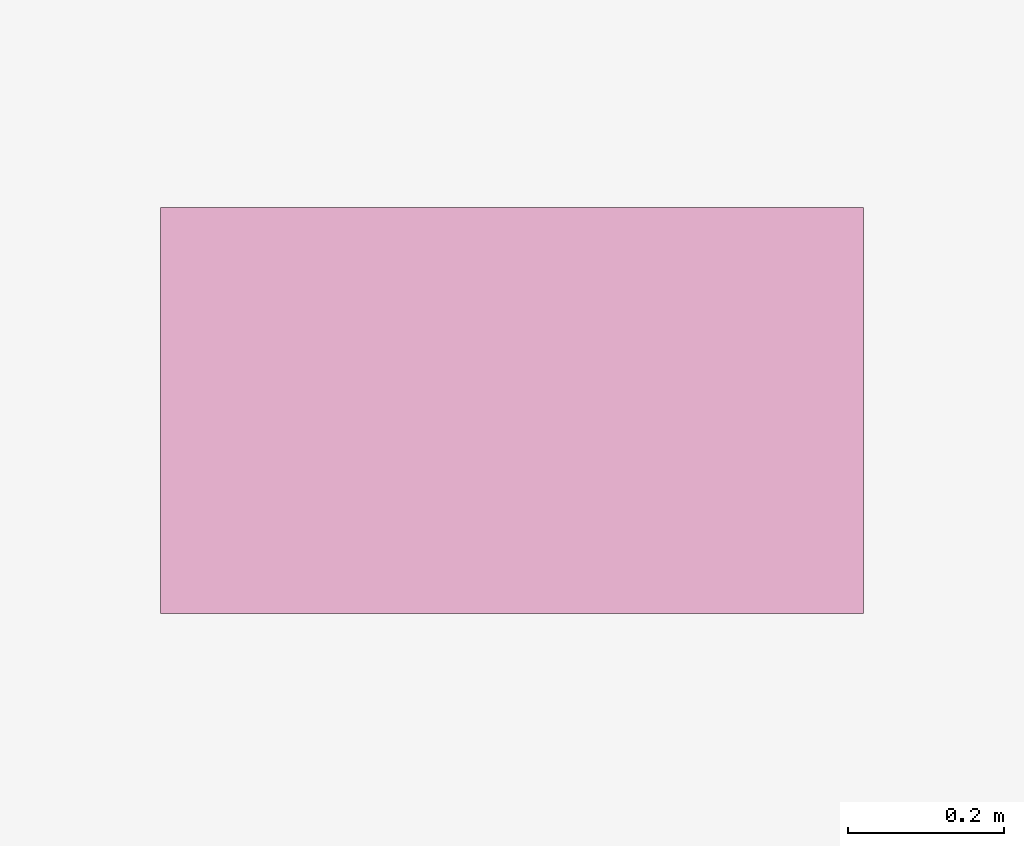
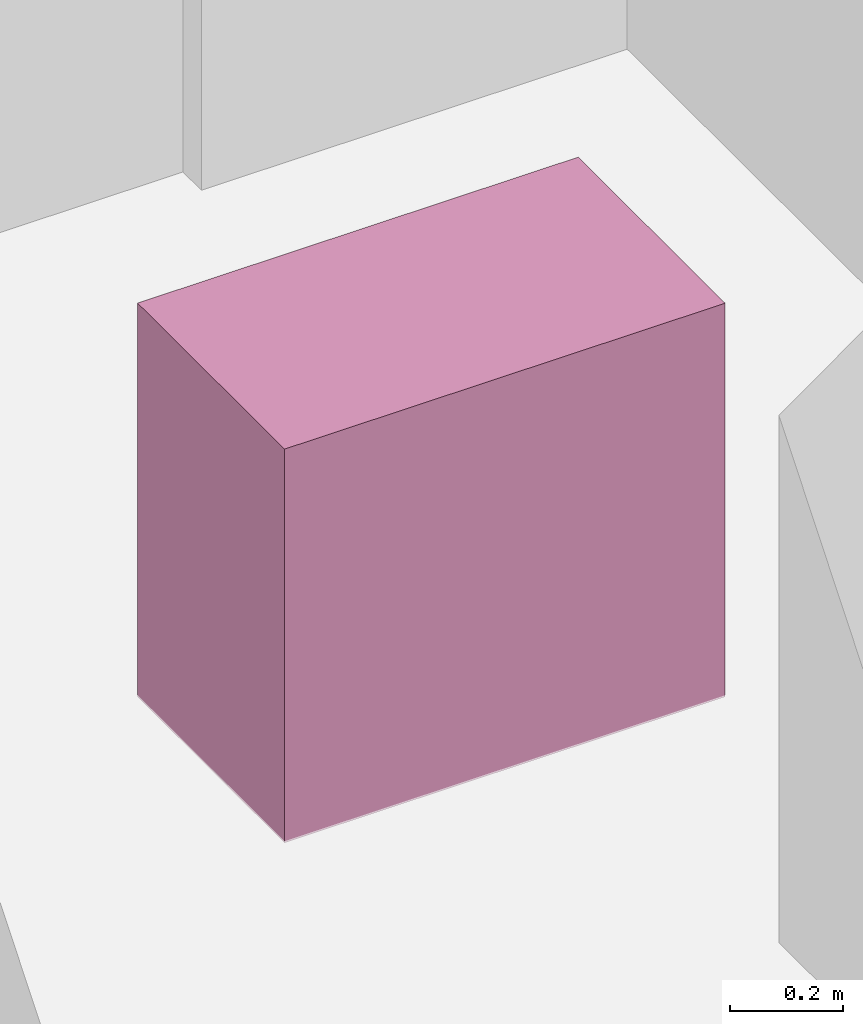
# One storey, part 28 of 28: 1 furnishing.
"""IFC4 building model written with IfcOpenShell, lengths in metres."""

from ifc_helpers import new_model, si_unit, direction, frame, origin, origin_2d, place, context, subcontext, project, spatial, rectangle, extrude, material, type_object, element, save


model = new_model("IFC4")

# Units and contexts
model_context = context("Model", 3, precision=1e-05, world=origin(), true_north=direction((0.0, 1.0)))
body_context = subcontext(model_context, "Body", "Model", "MODEL_VIEW")
ifc_project = project(units=[si_unit("LENGTHUNIT", "METRE"), si_unit("AREAUNIT", "SQUARE_METRE"), si_unit("VOLUMEUNIT", "CUBIC_METRE"), si_unit("PLANEANGLEUNIT", "RADIAN"), si_unit("MASSUNIT", "GRAM", prefix="KILO")], contexts=[model_context])

# Site, building, storey
site_placement = place(None, origin())
site = spatial("IfcSite", under=ifc_project, at=site_placement, CompositionType="ELEMENT")
building_placement = place(site_placement, origin())
building = spatial("IfcBuilding", under=site, at=building_placement, Name="Vorneva Point Tower", CompositionType="ELEMENT")
storey_placement = place(building_placement, frame((0.0, 0.0, 146.60009765625)))
storey = spatial("IfcBuildingStorey", under=building, at=storey_placement, Name="L39", CompositionType="ELEMENT", Elevation=146.60009765625)

# Furnishing
ifc_material = material(Name="Vitreous china and granite top", Category="masonry")
furniture_type = type_object("IfcFurnitureType", Name="FUR-VAN-900", AssemblyPlace="NOTDEFINED", PredefinedType="NOTDEFINED", material=ifc_material)
furnishing_placement = place(storey_placement, frame((34.85009765625, 32.1201171875, -0.005126953125), z_axis=(0.0, 0.0, 1.0), x_axis=(1.0, 0.0, 0.0)))
element("IfcFurnishingElement", 1, at=furnishing_placement, inside=storey, type_object=furniture_type, Name="L39 Public Male WC Vanity Unit", ObjectType="L39 Public Male WC Vanity Unit", context=body_context, shape_type="SweptSolid", body=[
    extrude(rectangle(XDim=0.89990234375, YDim=0.52001953125, at=origin_2d()), origin(), (0.0, 0.0, 1.0), 0.85009765625),
])

save(model, "model.ifc")
